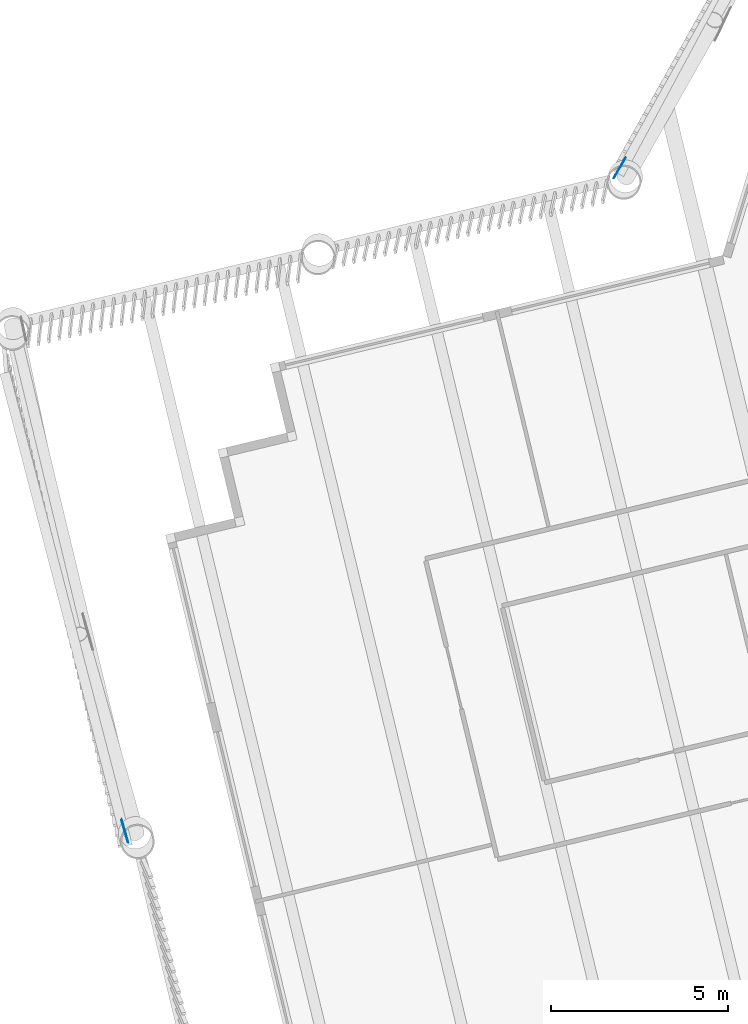
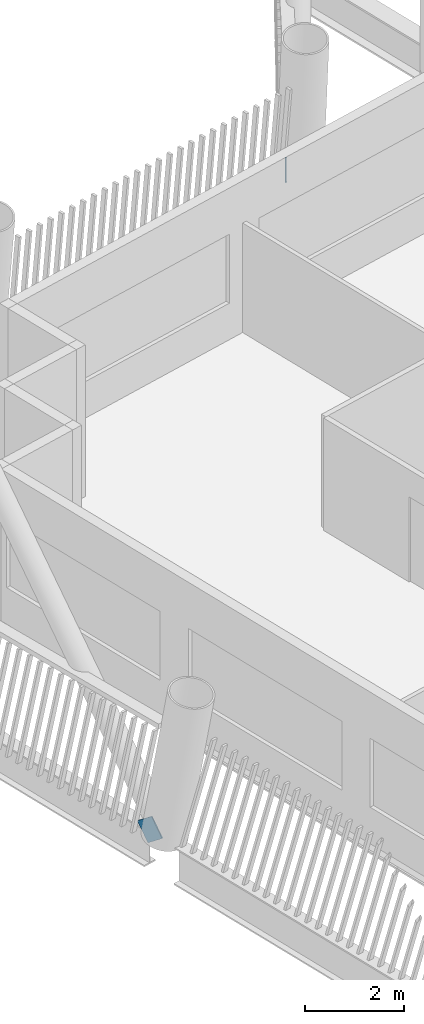
# One storey, part 12 of 22: 2 discrete accessories.
"""IFC4 building model written with IfcOpenShell, lengths in metres."""

from ifc_helpers import new_model, si_unit, direction, frame, origin, origin_2d, place, context, subcontext, project, spatial, rectangle, extrude, material, material_profile, profile_set, type_object, element, save


model = new_model("IFC4")

# Units and contexts
model_context = context("Model", 3, precision=1e-05, world=origin(), true_north=direction((0.0, 1.0)))
body_context = subcontext(model_context, "Body", "Model", "MODEL_VIEW")
ifc_project = project(units=[si_unit("LENGTHUNIT", "METRE"), si_unit("AREAUNIT", "SQUARE_METRE"), si_unit("VOLUMEUNIT", "CUBIC_METRE"), si_unit("PLANEANGLEUNIT", "RADIAN"), si_unit("MASSUNIT", "GRAM", prefix="KILO")], contexts=[model_context])

# Site, building, storey
site_placement = place(None, origin())
site = spatial("IfcSite", under=ifc_project, at=site_placement, CompositionType="ELEMENT")
building_placement = place(site_placement, origin())
building = spatial("IfcBuilding", under=site, at=building_placement, Name="Tarsis Ring Headquarters", CompositionType="ELEMENT")
storey_placement = place(building_placement, frame((0.0, 0.0, 339.199951171875)))
storey = spatial("IfcBuildingStorey", under=building, at=storey_placement, Name="L80", CompositionType="ELEMENT", Elevation=339.199951171875)

# Discrete accessories
ifc_material = material(Name="Structural steel S355", Category="steel")
ifc_material_profile = material_profile(ifc_material, rectangle(XDim=0.02490234375, YDim=0.5, at=origin_2d()), Name="PL 25x500")
ifc_profile_set = profile_set([ifc_material_profile], Name="Structural steel S355")
discrete_accessory_type = type_object("IfcDiscreteAccessoryType", Name="Gusset plate Exo brace 25", PredefinedType="BRACKET", material=ifc_profile_set)
for number, where, z_axis, x_axis, name in (
    (1, (-27.994873046875, 8.677490234375, 0.0), (0.269006189226, 0.476009137016, 0.837287866648), (-0.870596097327, 0.491998409874, 0.0), "Gusset plate GP5"),
    (2, (-41.870361328125, -10.078857421875, 0.0), (-0.164068876206, 0.576682567855, 0.800324071731), (-0.961830674491, -0.273645306206, 0.0), "Gusset plate GP5"),
):
    element("IfcDiscreteAccessory", number, at=place(storey_placement, frame(where, z_axis=z_axis, x_axis=x_axis)), inside=storey, type_object=discrete_accessory_type, Name=name, PredefinedType="BRACKET", context=body_context, shape_type="SweptSolid", body=[
        extrude(rectangle(XDim=0.02490234375, YDim=0.5, at=origin_2d()), origin(), (0.0, 0.0, 1.0), 0.5),
    ])

save(model, "model.ifc")
